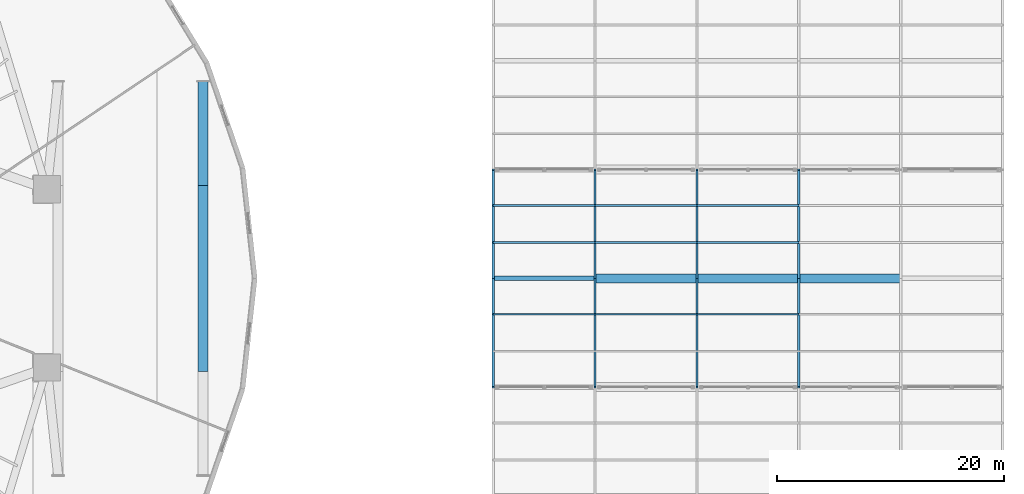
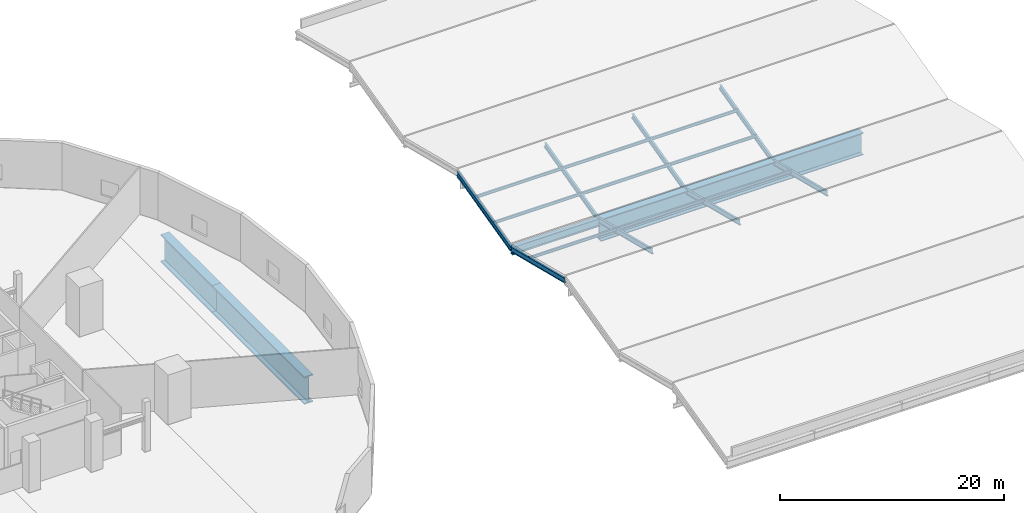
# One storey, part 7 of 36: 17 members, 4 beams.
"""IFC4 building model written with IfcOpenShell, lengths in metres."""

from ifc_helpers import new_model, si_unit, direction, frame, origin, origin_2d, place, context, subcontext, project, spatial, i_section, extrude, material, material_profile, profile_set, type_object, element, save


model = new_model("IFC4")

# Units and contexts
model_context = context("Model", 3, precision=1e-05, world=origin(), true_north=direction((0.0, 1.0)))
body_context = subcontext(model_context, "Body", "Model", "MODEL_VIEW")
ifc_project = project(units=[si_unit("LENGTHUNIT", "METRE"), si_unit("AREAUNIT", "SQUARE_METRE"), si_unit("VOLUMEUNIT", "CUBIC_METRE"), si_unit("PLANEANGLEUNIT", "RADIAN"), si_unit("MASSUNIT", "GRAM", prefix="KILO")], contexts=[model_context])

# Site, building, storey
site_placement = place(None, origin())
site = spatial("IfcSite", under=ifc_project, at=site_placement, CompositionType="ELEMENT")
building_placement = place(site_placement, origin())
building = spatial("IfcBuilding", under=site, at=building_placement, Name="Qorvath Tower", CompositionType="ELEMENT")
storey_placement = place(building_placement, frame((0.0, 0.0, 27.0)))
storey = spatial("IfcBuildingStorey", under=building, at=storey_placement, Name="L05", CompositionType="ELEMENT", Elevation=27.0)

# Beams
ifc_material_1 = material(Name="Steel ASTM A992 Grade 50", Category="steel")
ifc_material_profile_1 = material_profile(ifc_material_1, i_section(OverallWidth=0.39892578125, OverallDepth=0.85498046875, WebThickness=0.018310546875, FlangeThickness=0.029296875, FilletRadius=0.02001953125, at=origin_2d()), Name="W33x201")
ifc_profile_set_1 = profile_set([ifc_material_profile_1], Name="Steel ASTM A992 Grade 50")
beam_type_1 = type_object("IfcBeamType", Name="BM-FG2", PredefinedType="BEAM", material=ifc_profile_set_1)
beam_1_placement = place(storey_placement, frame((32.39990234375, 0.0, -0.7275390625), z_axis=(1.0, 0.0, 0.0), x_axis=(0.0, 1.0, 0.0)))
element("IfcBeam", 1, at=beam_1_placement, inside=storey, type_object=beam_type_1, Name="Library Roof Fold Girder 5-W", PredefinedType="BEAM", context=body_context, shape_type="SweptSolid", body=[
    extrude(i_section(OverallWidth=0.39892578125, OverallDepth=0.85498046875, WebThickness=0.018310546875, FlangeThickness=0.029296875, FilletRadius=0.02001953125, at=origin_2d()), origin(), (0.0, 0.0, 1.0), 9.0),
])
ifc_material_2 = material(Name="Steel ASTM A572 Grade 42", Category="steel")
ifc_material_profile_2 = material_profile(ifc_material_2, i_section(OverallWidth=0.89990234375, OverallDepth=3.0, WebThickness=0.06005859375, FlangeThickness=0.1201171875, FilletRadius=0.030029296875, at=origin_2d()), Name="WTG 3000x900")
ifc_profile_set_2 = profile_set([ifc_material_profile_2], Name="Steel ASTM A572 Grade 42")
beam_type_2 = type_object("IfcBeamType", Name="BM-TG1", PredefinedType="BEAM", material=ifc_profile_set_2)
beam_2_placement = place(storey_placement, frame((6.800048828125, -8.199951171875, -1.919921875), z_axis=(0.0, 1.0, 0.0), x_axis=(-1.0, 0.0, 0.0)))
element("IfcBeam", 2, at=beam_2_placement, inside=storey, type_object=beam_type_2, Name="L05 Arch Transfer Girder FRONT-2", PredefinedType="BEAM", context=body_context, shape_type="SweptSolid", body=[
    extrude(i_section(OverallWidth=0.89990234375, OverallDepth=3.0, WebThickness=0.06005859375, FlangeThickness=0.1201171875, FilletRadius=0.030029296875, at=origin_2d()), origin(), (0.0, 0.0, 1.0), 16.39990234375),
])
beam_3_placement = place(storey_placement, frame((6.800048828125, 8.199951171875, -1.919921875), z_axis=(0.0, 1.0, 0.0), x_axis=(-1.0, 0.0, 0.0)))
element("IfcBeam", 3, at=beam_3_placement, inside=storey, type_object=beam_type_2, Name="L05 Arch Transfer Girder FRONT-3", PredefinedType="BEAM", context=body_context, shape_type="SweptSolid", body=[
    extrude(i_section(OverallWidth=0.89990234375, OverallDepth=3.0, WebThickness=0.06005859375, FlangeThickness=0.1201171875, FilletRadius=0.030029296875, at=origin_2d()), origin(), (0.0, 0.0, 1.0), 9.199951171875),
])
ifc_material_3 = material(Name="Steel ASTM A572 Grade 50", Category="steel")
ifc_material_profile_3 = material_profile(ifc_material_3, i_section(OverallWidth=0.800048828125, OverallDepth=2.39990234375, WebThickness=0.044921875, FlangeThickness=0.090087890625, FilletRadius=0.02490234375, at=origin_2d()), Name="WTG 2400x800")
ifc_profile_set_3 = profile_set([ifc_material_profile_3], Name="Steel ASTM A572 Grade 50")
beam_type_3 = type_object("IfcBeamType", Name="BM-TG2", PredefinedType="BEAM", material=ifc_profile_set_3)
beam_4_placement = place(storey_placement, frame((41.39990234375, 0.0, -1.5), z_axis=(1.0, 0.0, 0.0), x_axis=(0.0, 1.0, 0.0)))
element("IfcBeam", 4, at=beam_4_placement, inside=storey, type_object=beam_type_3, Name="Library Reading Hall Clear-Span Roof Girder 5-C", PredefinedType="BEAM", context=body_context, shape_type="SweptSolid", body=[
    extrude(i_section(OverallWidth=0.800048828125, OverallDepth=2.39990234375, WebThickness=0.044921875, FlangeThickness=0.090087890625, FilletRadius=0.02490234375, at=origin_2d()), origin(), (0.0, 0.0, 1.0), 27.0),
])

# Members
ifc_material_4 = material(Name="Steel ASTM A992 Grade 50", Category="steel")
ifc_material_profile_4 = material_profile(ifc_material_4, i_section(OverallWidth=0.1650390625, OverallDepth=0.31005859375, WebThickness=0.005859375, FlangeThickness=0.009765625, FilletRadius=0.010009765625, at=origin_2d()), Name="W12x26")
ifc_profile_set_4 = profile_set([ifc_material_profile_4], Name="Steel ASTM A992 Grade 50")
member_type_1 = type_object("IfcMemberType", Name="MEM-PR1", PredefinedType="PURLIN", material=ifc_profile_set_4)
for number, where, z_axis, x_axis, name in (
    (5, (32.39990234375, -3.16796875, 0.357177734375), (1.0, 0.0, 0.0), (0.0, 1.0, 0.0), "Library Folded Roof Purlin F4-P2-1"),
    (6, (41.39990234375, -3.16796875, 0.357177734375), (1.0, 0.0, 0.0), (0.0, 1.0, 0.0), "Library Folded Roof Purlin F4-P2-2"),
    (7, (50.39990234375, -3.16796875, 0.357177734375), (1.0, 0.0, 0.0), (0.0, 1.0, 0.0), "Library Folded Roof Purlin F4-P2-3"),
    (8, (32.39990234375, 3.16796875, 0.357177734375), (1.0, 0.0, 0.0), (0.0, 1.0, 0.0), "Library Folded Roof Purlin F5-P1-1"),
    (9, (41.39990234375, 3.16796875, 0.357177734375), (1.0, 0.0, 0.0), (0.0, 1.0, 0.0), "Library Folded Roof Purlin F5-P1-2"),
    (10, (50.39990234375, 3.16796875, 0.357177734375), (1.0, 0.0, 0.0), (0.0, 1.0, 0.0), "Library Folded Roof Purlin F5-P1-3"),
    (11, (32.39990234375, 6.431884765625, 1.1708984375), (1.0, 0.0, 0.0), (0.0, 1.0, 0.0), "Library Folded Roof Purlin F5-P2-1"),
    (12, (41.39990234375, 6.431884765625, 1.1708984375), (1.0, 0.0, 0.0), (0.0, 1.0, 0.0), "Library Folded Roof Purlin F5-P2-2"),
    (13, (50.39990234375, 6.431884765625, 1.1708984375), (1.0, 0.0, 0.0), (0.0, 1.0, 0.0), "Library Folded Roof Purlin F5-P2-3"),
):
    element("IfcMember", number, at=place(storey_placement, frame(where, z_axis=z_axis, x_axis=x_axis)), inside=storey, type_object=member_type_1, Name=name, PredefinedType="PURLIN", context=body_context, shape_type="SweptSolid", body=[
        extrude(i_section(OverallWidth=0.1650390625, OverallDepth=0.31005859375, WebThickness=0.005859375, FlangeThickness=0.009765625, FilletRadius=0.010009765625, at=origin_2d()), origin(), (0.0, 0.0, 1.0), 9.0),
    ])
ifc_material_5 = material(Name="Steel ASTM A992 Grade 50", Category="steel")
ifc_material_profile_5 = material_profile(ifc_material_5, i_section(OverallWidth=0.208984375, OverallDepth=0.532958984375, WebThickness=0.01025390625, FlangeThickness=0.015625, FilletRadius=0.013916015625, at=origin_2d()), Name="W21x62")
ifc_profile_set_5 = profile_set([ifc_material_profile_5], Name="Steel ASTM A992 Grade 50")
member_type_2 = type_object("IfcMemberType", Name="MEM-RF1", PredefinedType="RAFTER", material=ifc_profile_set_5)
for number, where, z_axis, x_axis, name in (
    (14, (32.39990234375, -9.60009765625, 1.829345703125), (0.0, 0.970296164909, -0.24192013633), (-1.0, 0.0, 0.0), "Library Folded Roof Rafter F4-1"),
    (15, (41.39990234375, -9.60009765625, 1.829345703125), (0.0, 0.970296164909, -0.24192013633), (-1.0, 0.0, 0.0), "Library Folded Roof Rafter F4-2"),
    (16, (50.39990234375, -9.60009765625, 1.829345703125), (0.0, 0.970296164909, -0.24192013633), (-1.0, 0.0, 0.0), "Library Folded Roof Rafter F4-3"),
    (17, (59.39990234375, -9.60009765625, 1.829345703125), (0.0, 0.970296164909, -0.24192013633), (-1.0, 0.0, 0.0), "Library Folded Roof Rafter F4-4"),
    (18, (32.39990234375, 0.0, -0.564208984375), (0.0, 0.970296164909, 0.24192013633), (-1.0, 0.0, 0.0), "Library Folded Roof Rafter F5-1"),
    (19, (41.39990234375, 0.0, -0.564208984375), (0.0, 0.970296164909, 0.24192013633), (-1.0, 0.0, 0.0), "Library Folded Roof Rafter F5-2"),
    (20, (50.39990234375, 0.0, -0.564208984375), (0.0, 0.970296164909, 0.24192013633), (-1.0, 0.0, 0.0), "Library Folded Roof Rafter F5-3"),
    (21, (59.39990234375, 0.0, -0.564208984375), (0.0, 0.970296164909, 0.24192013633), (-1.0, 0.0, 0.0), "Library Folded Roof Rafter F5-4"),
):
    element("IfcMember", number, at=place(storey_placement, frame(where, z_axis=z_axis, x_axis=x_axis)), inside=storey, type_object=member_type_2, Name=name, PredefinedType="RAFTER", context=body_context, shape_type="SweptSolid", body=[
        extrude(i_section(OverallWidth=0.208984375, OverallDepth=0.532958984375, WebThickness=0.01025390625, FlangeThickness=0.015625, FilletRadius=0.013916015625, at=origin_2d()), origin(), (0.0, 0.0, 1.0), 9.89404296875),
    ])

save(model, "model.ifc")
